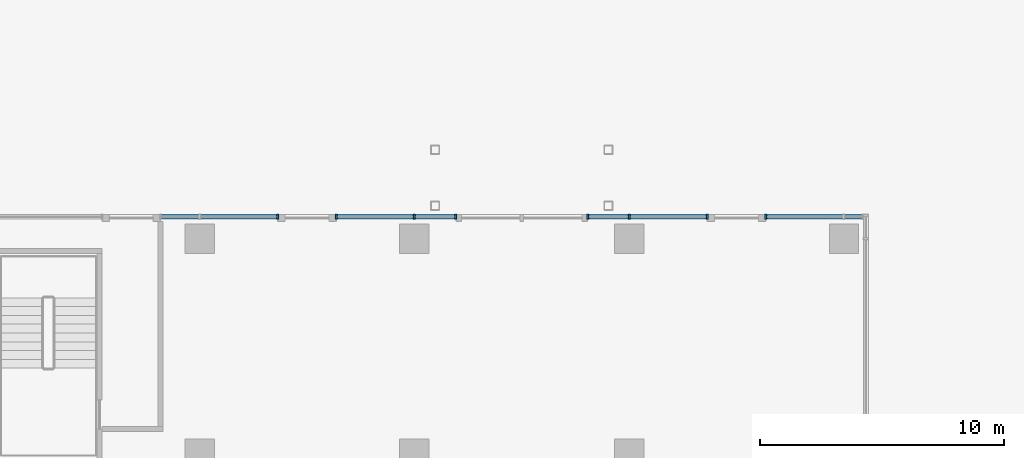
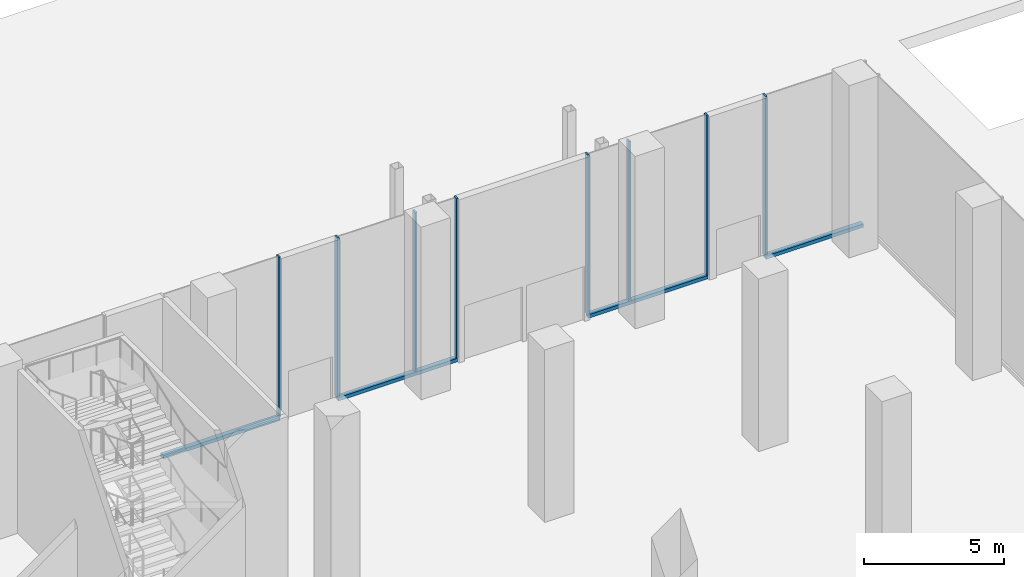
# One storey, part 12 of 41: 12 members, 4 elements without a shape of their own.
"""IFC4 building model written with IfcOpenShell, lengths in metres."""

import ifcopenshell
import ifcopenshell.guid

model = None  # the IFC model being written
_history = None  # IfcOwnerHistory: only IFC2X3 demands one
_inside = {}  # id of a spatial element -> (the spatial element, [elements in it])
_under = {}  # id of a project, library or spatial element -> (it, [spatial elements below it])
_declared = {}  # id of a project -> (the project, [libraries it declares])
_typed = {}  # id of a type object -> (the type object, [elements of that type])
_made_of = {}  # id of a material, layer set ... -> (it, [elements and type objects made of it])


def new_model(schema):
    """Start an empty IFC model of exactly this schema.

    Asked for "IFC4X3", IfcOpenShell would pick the latest addendum, in which some entities
    have other attributes; the version numbers below select the first issue.
    IFC2X3 requires an IfcOwnerHistory on every rooted entity: one is made here for all.
    """
    global model, _history
    if schema == "IFC4X3":
        model = ifcopenshell.file(schema_version=(4, 3, 0, 0))
    else:
        model = ifcopenshell.file(schema=schema)
    _inside.clear()
    _under.clear()
    _declared.clear()
    _typed.clear()
    _made_of.clear()
    _history = None
    if model.schema == "IFC2X3":
        org = make("IfcOrganization", Name="unknown")
        user = make(
            "IfcPersonAndOrganization",
            ThePerson=make("IfcPerson", FamilyName="unknown"),
            TheOrganization=org,
        )
        app = make(
            "IfcApplication",
            ApplicationDeveloper=org,
            Version="unknown",
            ApplicationFullName="unknown",
            ApplicationIdentifier="unknown",
        )
        _history = make(
            "IfcOwnerHistory",
            OwningUser=user,
            OwningApplication=app,
            ChangeAction="ADDED",
            CreationDate=0,
        )
    return model


def make(cls, **values):
    """One entity of the class cls with the attributes given. An attribute that is None is left unset."""
    return model.create_entity(
        cls, **{name: value for name, value in values.items() if value is not None}
    )


def rooted(cls, **values):
    """An entity with a GlobalId (a new one), such as an element, a storey or a relation."""
    return make(cls, GlobalId=ifcopenshell.guid.new(), OwnerHistory=_history, **values)


def si_unit(unit_type, name, prefix=None):
    """IfcSIUnit, for example si_unit("LENGTHUNIT", "METRE", prefix="MILLI")."""
    return make("IfcSIUnit", UnitType=unit_type, Prefix=prefix, Name=name)


def assignment(units):
    """IfcUnitAssignment: the units of a project."""
    return None if units is None else make("IfcUnitAssignment", Units=units)


def point(xyz):
    """IfcCartesianPoint."""
    return None if xyz is None else make("IfcCartesianPoint", Coordinates=xyz)


def direction(xyz):
    """IfcDirection."""
    return None if xyz is None else make("IfcDirection", DirectionRatios=xyz)


def frame(location, z_axis=None, x_axis=None):
    """IfcAxis2Placement3D, a coordinate frame: its origin and axes. An axis left out is left unset."""
    return make(
        "IfcAxis2Placement3D",
        Location=point(location),
        Axis=direction(z_axis),
        RefDirection=direction(x_axis),
    )


def frame_2d(location, x_axis=None):
    """IfcAxis2Placement2D, a coordinate frame in the plane: its origin and x axis."""
    return make(
        "IfcAxis2Placement2D", Location=point(location), RefDirection=direction(x_axis)
    )


def origin():
    """The frame at (0, 0, 0) with its axes left unset."""
    return frame((0.0, 0.0, 0.0))


def origin_2d():
    """The frame at (0, 0) in the plane with its x axis left unset."""
    return frame_2d((0.0, 0.0))


def place(relative_to, where):
    """IfcLocalPlacement: puts the frame where relative to a parent placement (None: the world)."""
    return make(
        "IfcLocalPlacement", PlacementRelTo=relative_to, RelativePlacement=where
    )


def context(
    kind, dimensions, precision=None, world=None, true_north=None, identifier=None
):
    """IfcGeometricRepresentationContext, for example the 3D "Model" context."""
    return make(
        "IfcGeometricRepresentationContext",
        ContextIdentifier=identifier,
        ContextType=kind,
        CoordinateSpaceDimension=dimensions,
        Precision=precision,
        WorldCoordinateSystem=world,
        TrueNorth=true_north,
    )


def subcontext(parent, identifier, kind, view, scale=None):
    """IfcGeometricRepresentationSubContext, for example "Body" below "Model"."""
    return make(
        "IfcGeometricRepresentationSubContext",
        ContextIdentifier=identifier,
        ContextType=kind,
        ParentContext=parent,
        TargetScale=scale,
        TargetView=view,
    )


def project(units=None, contexts=None):
    """IfcProject with its units and contexts."""
    return rooted(
        "IfcProject",
        Name="project",
        RepresentationContexts=contexts,
        UnitsInContext=assignment(units),
    )


def spatial(cls, under=None, at=None, **own):
    """A site, building, storey or space (cls), placed at a placement, below another one or the project."""
    s = rooted(cls, ObjectPlacement=at, **own)
    if under is not None:
        _under.setdefault(under.id(), (under, []))[1].append(s)
    return s


def profile(cls, at=None, kind="AREA", **sizes):
    """A parametric profile (cls). Its sizes go by their IFC names, for example OverallWidth=200.0."""
    return make(cls, ProfileType=kind, Position=at, **sizes)


def rectangle(**sizes):
    """IfcRectangleProfileDef."""
    return profile("IfcRectangleProfileDef", **sizes)


def extrude(swept, where, along, depth):
    """IfcExtrudedAreaSolid: the profile swept, set in the frame where, extruded along a direction by depth."""
    return make(
        "IfcExtrudedAreaSolid",
        SweptArea=swept,
        Position=where,
        ExtrudedDirection=direction(along),
        Depth=depth,
    )


def shape(context_of_items, identifier, shape_type, items):
    """IfcShapeRepresentation: the items that make up one representation, for example the "Body"."""
    return make(
        "IfcShapeRepresentation",
        ContextOfItems=context_of_items,
        RepresentationIdentifier=identifier,
        RepresentationType=shape_type,
        Items=items,
    )


def source(mapping_origin, context_of_items, identifier, shape_type, items):
    """IfcRepresentationMap: a shape defined once, which mapped items show again and again."""
    return make(
        "IfcRepresentationMap",
        MappingOrigin=mapping_origin,
        MappedRepresentation=shape(context_of_items, identifier, shape_type, items),
    )


def transform(
    local_origin,
    x_axis=None,
    y_axis=None,
    z_axis=None,
    scale=None,
    scale2=None,
    scale3=None,
    uniform=True,
):
    """IfcCartesianTransformationOperator3D, or its non-uniform kind. x_axis, y_axis, z_axis: its Axis1, 2, 3."""
    if uniform:
        return make(
            "IfcCartesianTransformationOperator3D",
            Axis1=direction(x_axis),
            Axis2=direction(y_axis),
            LocalOrigin=point(local_origin),
            Scale=scale,
            Axis3=direction(z_axis),
        )
    return make(
        "IfcCartesianTransformationOperator3DnonUniform",
        Axis1=direction(x_axis),
        Axis2=direction(y_axis),
        LocalOrigin=point(local_origin),
        Scale=scale,
        Axis3=direction(z_axis),
        Scale2=scale2,
        Scale3=scale3,
    )


def mapped(mapping_source, mapping_target):
    """IfcMappedItem: shows the shape of a source again, moved by a transform."""
    return make(
        "IfcMappedItem", MappingSource=mapping_source, MappingTarget=mapping_target
    )


def material(Name=None, Category=None):
    """IfcMaterial."""
    return make("IfcMaterial", Name=Name, Category=Category)


def material_profile(
    of_material, cross_section, Name=None, Category=None, Priority=None
):
    """IfcMaterialProfile: a cross section and its material."""
    return make(
        "IfcMaterialProfile",
        Name=Name,
        Material=of_material,
        Profile=cross_section,
        Priority=Priority,
        Category=Category,
    )


def profile_set(profiles, Name=None, composite=None):
    """IfcMaterialProfileSet."""
    return make(
        "IfcMaterialProfileSet",
        Name=Name,
        MaterialProfiles=profiles,
        CompositeProfile=composite,
    )


def made_of(thing, what):
    """Note that an element or type object is made of a material, layer set ...; save() writes the relation."""
    if what is not None:
        _made_of.setdefault(what.id(), (what, []))[1].append(thing)
    return thing


def type_object(cls, material=None, **own):
    """A type object (cls), such as IfcWallType, which elements share."""
    return made_of(rooted(cls, **own), material)


def element(
    cls,
    number,
    at=None,
    inside=None,
    cuts=None,
    type_object=None,
    material=None,
    context=None,
    identifier="Body",
    shape_type=None,
    held_by="IfcProductDefinitionShape",
    body=None,
    shapes=None,
    **own,
):
    """One element of the class cls, such as IfcWall. Its Tag is "e" and its number.

    at: its placement. inside: the storey or other place that contains it. cuts: it is an
    opening in that element (IfcRelVoidsElement). A single representation is given by context,
    identifier, shape_type and body (its items); several are given by shapes. held_by: the class
    of the entity that holds the representations. save() writes the other relations.
    """
    e = rooted(cls, Tag="e%d" % number, ObjectPlacement=at, **own)
    if body is not None:
        shapes = [shape(context, identifier, shape_type, body)]
    if shapes is not None:
        e.Representation = make(held_by, Representations=shapes)
    if inside is not None:
        _inside.setdefault(inside.id(), (inside, []))[1].append(e)
    if cuts is not None:
        rooted(
            "IfcRelVoidsElement", RelatingBuildingElement=cuts, RelatedOpeningElement=e
        )
    if type_object is not None:
        _typed.setdefault(type_object.id(), (type_object, []))[1].append(e)
    return made_of(e, material)


def aggregate(whole, parts):
    """IfcRelAggregates: a whole, such as a stair, and the parts it consists of."""
    return rooted("IfcRelAggregates", RelatingObject=whole, RelatedObjects=parts)


def save(model, path):
    """Write the relations noted so far, then the file.

    IfcRelAggregates (storeys below a building ...), IfcRelContainedInSpatialStructure (elements
    in a storey), IfcRelDefinesByType, IfcRelAssociatesMaterial and IfcRelDeclares: one each for
    every whole, place, type object, material and project.
    """
    for whole, parts in _under.values():
        aggregate(whole, parts)
    for where, things in _inside.values():
        rooted(
            "IfcRelContainedInSpatialStructure",
            RelatedElements=things,
            RelatingStructure=where,
        )
    for kind, things in _typed.values():
        rooted("IfcRelDefinesByType", RelatedObjects=things, RelatingType=kind)
    for what, things in _made_of.values():
        rooted("IfcRelAssociatesMaterial", RelatedObjects=things, RelatingMaterial=what)
    for by, libraries in _declared.values():
        rooted("IfcRelDeclares", RelatingContext=by, RelatedDefinitions=libraries)
    model.write(path)


model = new_model("IFC4")

# Units and contexts
model_context = context("Model", 3, precision=1e-05, world=origin(), true_north=direction((0.0, 1.0)))
body_context = subcontext(model_context, "Body", "Model", "MODEL_VIEW")
ifc_project = project(units=[si_unit("LENGTHUNIT", "METRE"), si_unit("AREAUNIT", "SQUARE_METRE"), si_unit("VOLUMEUNIT", "CUBIC_METRE"), si_unit("PLANEANGLEUNIT", "RADIAN"), si_unit("MASSUNIT", "GRAM", prefix="KILO")], contexts=[model_context])

# Site, building, storey
site_placement = place(None, origin())
site = spatial("IfcSite", under=ifc_project, at=site_placement, CompositionType="ELEMENT")
building_placement = place(site_placement, origin())
building = spatial("IfcBuilding", under=site, at=building_placement, Name="Kemantara Hotel Tower", CompositionType="ELEMENT")
storey_placement = place(building_placement, origin())
storey = spatial("IfcBuildingStorey", under=building, at=storey_placement, Name="L00", CompositionType="ELEMENT", Elevation=0.0)

# Curtain wall, member
ifc_material_1 = material(Name="Laminated tinted insulated glass 44 mm", Category="glass")
curtain_wall_type = type_object("IfcCurtainWallType", Name="PODIUM GLASS CURTAIN WALL", PredefinedType="USERDEFINED", material=ifc_material_1)
curtain_wall_1_placement = place(storey_placement, origin())
curtain_wall_1 = element("IfcCurtainWall", 1, at=curtain_wall_1_placement, inside=storey, type_object=curtain_wall_type, Name="CW1 L00 POD-R09-1", ObjectType="PODIUM GLASS CURTAIN WALL", PredefinedType="USERDEFINED")
ifc_material_2 = material(Name="Aluminium 6063-T6 bronze anodised", Category="aluminium")
ifc_material_profile_1 = material_profile(ifc_material_2, rectangle(XDim=0.199951171875, YDim=0.14990234375, at=origin_2d()), Name="PODIUM GLASS CURTAIN WALL TRANSOM")
ifc_profile_set_1 = profile_set([ifc_material_profile_1], Name="Aluminium 6063-T6 bronze anodised")
member_type_1 = type_object("IfcMemberType", Name="PODIUM GLASS CURTAIN WALL TRANSOM", PredefinedType="USERDEFINED", material=ifc_profile_set_1)
member_1_placement = place(storey_placement, frame((63.39990234375, 54.699951171875, 0.074951171875), z_axis=(-1.0, 0.0, 0.0), x_axis=(0.0, -1.0, 0.0)))
member_1 = element("IfcMember", 2, at=member_1_placement, type_object=member_type_1, Name="CW1 sill transom POD-R09-1", ObjectType="TRANSOM", PredefinedType="USERDEFINED", context=body_context, shape_type="SweptSolid", body=[
    extrude(rectangle(XDim=0.199951171875, YDim=0.14990234375, at=origin_2d()), origin(), (0.0, 0.0, 1.0), 4.0),
])

curtain_wall_2_placement = place(storey_placement, origin())
curtain_wall_2 = element("IfcCurtainWall", 3, at=curtain_wall_2_placement, inside=storey, type_object=curtain_wall_type, Name="CW1 L00 POD-R09-2", ObjectType="PODIUM GLASS CURTAIN WALL", PredefinedType="USERDEFINED")
member_2_placement = place(storey_placement, frame((57.0, 54.699951171875, 0.074951171875), z_axis=(-1.0, 0.0, 0.0), x_axis=(0.0, -1.0, 0.0)))
member_2 = element("IfcMember", 4, at=member_2_placement, type_object=member_type_1, Name="CW1 sill transom POD-R09-2", ObjectType="TRANSOM", PredefinedType="USERDEFINED", context=body_context, shape_type="SweptSolid", body=[
    extrude(rectangle(XDim=0.199951171875, YDim=0.14990234375, at=origin_2d()), origin(), (0.0, 0.0, 1.0), 4.89990234375),
])

curtain_wall_3_placement = place(storey_placement, origin())
curtain_wall_3 = element("IfcCurtainWall", 5, at=curtain_wall_3_placement, inside=storey, type_object=curtain_wall_type, Name="CW1 L00 POD-R09-3", ObjectType="PODIUM GLASS CURTAIN WALL", PredefinedType="USERDEFINED")
member_3_placement = place(storey_placement, frame((46.699951171875, 54.699951171875, 0.074951171875), z_axis=(-1.0, 0.0, 0.0), x_axis=(0.0, -1.0, 0.0)))
member_3 = element("IfcMember", 6, at=member_3_placement, type_object=member_type_1, Name="CW1 sill transom POD-R09-3", ObjectType="TRANSOM", PredefinedType="USERDEFINED", context=body_context, shape_type="SweptSolid", body=[
    extrude(rectangle(XDim=0.199951171875, YDim=0.14990234375, at=origin_2d()), origin(), (0.0, 0.0, 1.0), 4.89990234375),
])

curtain_wall_4_placement = place(storey_placement, origin())
curtain_wall_4 = element("IfcCurtainWall", 7, at=curtain_wall_4_placement, inside=storey, type_object=curtain_wall_type, Name="CW1 L00 POD-R09-4", ObjectType="PODIUM GLASS CURTAIN WALL", PredefinedType="USERDEFINED")
member_4_placement = place(storey_placement, frame((39.39990234375, 54.699951171875, 0.074951171875), z_axis=(-1.0, 0.0, 0.0), x_axis=(0.0, -1.0, 0.0)))
member_4 = element("IfcMember", 8, at=member_4_placement, type_object=member_type_1, Name="CW1 sill transom POD-R09-4", ObjectType="TRANSOM", PredefinedType="USERDEFINED", context=body_context, shape_type="SweptSolid", body=[
    extrude(rectangle(XDim=0.199951171875, YDim=0.14990234375, at=origin_2d()), origin(), (0.0, 0.0, 1.0), 4.7998046875),
])

# Member
ifc_material_profile_2 = material_profile(ifc_material_2, rectangle(XDim=0.199951171875, YDim=0.074951171875, at=origin_2d()), Name="PODIUM GLASS CURTAIN WALL MULLION")
ifc_profile_set_2 = profile_set([ifc_material_profile_2], Name="Aluminium 6063-T6 bronze anodised")
member_type_2 = type_object("IfcMemberType", Name="PODIUM GLASS CURTAIN WALL MULLION", PredefinedType="MULLION", material=ifc_profile_set_2)
shared_shape = source(origin(), body_context, "Body", "SweptSolid", [
    extrude(rectangle(XDim=0.199951171875, YDim=0.074951171875, at=origin_2d()), origin(), (0.0, 0.0, 1.0), 6.9501953125),
])
member_5_placement = place(storey_placement, frame((59.39990234375, 54.699951171875, 0.14990234375), z_axis=(0.0, 0.0, 1.0), x_axis=(0.0, -1.0, 0.0)))
member_5 = element("IfcMember", 9, at=member_5_placement, type_object=member_type_2, Name="CW1 mullion POD-R09-1.3", PredefinedType="MULLION", context=body_context, shape_type="MappedRepresentation", body=[
    mapped(shared_shape, transform((0.0, 0.0, 0.0))),
])

aggregate(curtain_wall_1, [member_1, member_5])

member_6_placement = place(storey_placement, frame((57.0, 54.699951171875, 0.14990234375), z_axis=(0.0, 0.0, 1.0), x_axis=(0.0, -1.0, 0.0)))
member_6 = element("IfcMember", 10, at=member_6_placement, type_object=member_type_2, Name="CW1 mullion POD-R09-2.1", PredefinedType="MULLION", context=body_context, shape_type="MappedRepresentation", body=[
    mapped(shared_shape, transform((0.0, 0.0, 0.0))),
])

member_7_placement = place(storey_placement, frame((53.800048828125, 54.699951171875, 0.14990234375), z_axis=(0.0, 0.0, 1.0), x_axis=(0.0, -1.0, 0.0)))
member_7 = element("IfcMember", 11, at=member_7_placement, type_object=member_type_2, Name="CW1 mullion POD-R09-2.2", PredefinedType="MULLION", context=body_context, shape_type="MappedRepresentation", body=[
    mapped(shared_shape, transform((0.0, 0.0, 0.0))),
])

member_8_placement = place(storey_placement, frame((52.10009765625, 54.699951171875, 0.14990234375), z_axis=(0.0, 0.0, 1.0), x_axis=(0.0, -1.0, 0.0)))
member_8 = element("IfcMember", 12, at=member_8_placement, type_object=member_type_2, Name="CW1 mullion POD-R09-2.3", PredefinedType="MULLION", context=body_context, shape_type="MappedRepresentation", body=[
    mapped(shared_shape, transform((0.0, 0.0, 0.0))),
])

aggregate(curtain_wall_2, [member_2, member_6, member_7, member_8])

member_9_placement = place(storey_placement, frame((46.699951171875, 54.699951171875, 0.14990234375), z_axis=(0.0, 0.0, 1.0), x_axis=(0.0, -1.0, 0.0)))
member_9 = element("IfcMember", 13, at=member_9_placement, type_object=member_type_2, Name="CW1 mullion POD-R09-3.1", PredefinedType="MULLION", context=body_context, shape_type="MappedRepresentation", body=[
    mapped(shared_shape, transform((0.0, 0.0, 0.0))),
])

member_10_placement = place(storey_placement, frame((45.0, 54.699951171875, 0.14990234375), z_axis=(0.0, 0.0, 1.0), x_axis=(0.0, -1.0, 0.0)))
member_10 = element("IfcMember", 14, at=member_10_placement, type_object=member_type_2, Name="CW1 mullion POD-R09-3.2", PredefinedType="MULLION", context=body_context, shape_type="MappedRepresentation", body=[
    mapped(shared_shape, transform((0.0, 0.0, 0.0))),
])

member_11_placement = place(storey_placement, frame((41.800048828125, 54.699951171875, 0.14990234375), z_axis=(0.0, 0.0, 1.0), x_axis=(0.0, -1.0, 0.0)))
member_11 = element("IfcMember", 15, at=member_11_placement, type_object=member_type_2, Name="CW1 mullion POD-R09-3.3", PredefinedType="MULLION", context=body_context, shape_type="MappedRepresentation", body=[
    mapped(shared_shape, transform((0.0, 0.0, 0.0))),
])

aggregate(curtain_wall_3, [member_3, member_9, member_10, member_11])

member_12_placement = place(storey_placement, frame((39.39990234375, 54.699951171875, 0.14990234375), z_axis=(0.0, 0.0, 1.0), x_axis=(0.0, -1.0, 0.0)))
member_12 = element("IfcMember", 16, at=member_12_placement, type_object=member_type_2, Name="CW1 mullion POD-R09-4.1", PredefinedType="MULLION", context=body_context, shape_type="MappedRepresentation", body=[
    mapped(shared_shape, transform((0.0, 0.0, 0.0))),
])

aggregate(curtain_wall_4, [member_4, member_12])

save(model, "model.ifc")
